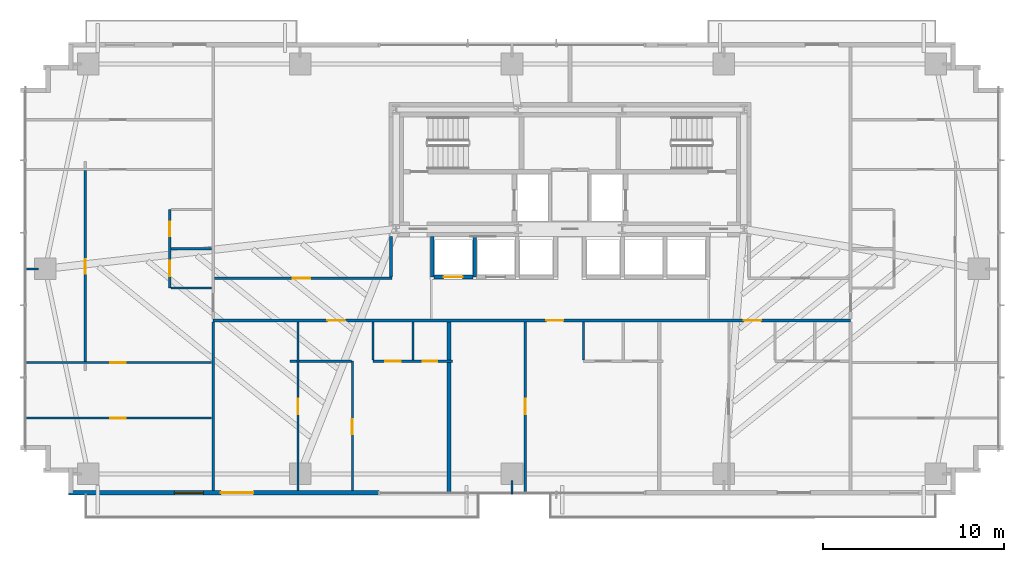
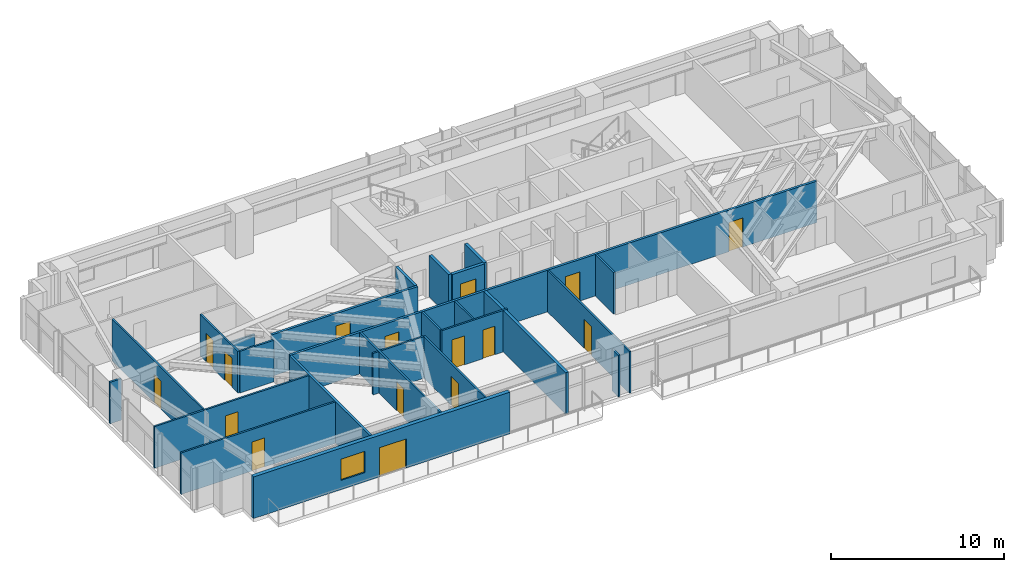
# One storey, part 19 of 25: 27 walls, 16 doors, 1 window, 17 openings.
"""IFC4 building model written with IfcOpenShell, lengths in metres."""

from ifc_helpers import new_model, si_unit, direction, frame, frame_2d, origin, place, context, subcontext, project, spatial, rectangle, extrude, source, transform, mapped, material, layer, layer_set, type_object, type_shapes, element, fill, save


model = new_model("IFC4")

# Units and contexts
model_context = context("Model", 3, precision=1e-05, world=origin(), true_north=direction((0.0, 1.0)))
body_context = subcontext(model_context, "Body", "Model", "MODEL_VIEW")
ifc_project = project(units=[si_unit("LENGTHUNIT", "METRE"), si_unit("AREAUNIT", "SQUARE_METRE"), si_unit("VOLUMEUNIT", "CUBIC_METRE"), si_unit("PLANEANGLEUNIT", "RADIAN"), si_unit("MASSUNIT", "GRAM", prefix="KILO")], contexts=[model_context])

# Site, building, storey
site_placement = place(None, origin())
site = spatial("IfcSite", under=ifc_project, at=site_placement, CompositionType="ELEMENT")
building_placement = place(site_placement, origin())
building = spatial("IfcBuilding", under=site, at=building_placement, Name="Astriad Promenade Condominiums", CompositionType="ELEMENT")
storey_placement = place(building_placement, frame((0.0, 0.0, 51.800048828125)))
storey = spatial("IfcBuildingStorey", under=building, at=storey_placement, Name="L14", CompositionType="ELEMENT", Elevation=51.800048828125)

# Wall, openings, doors
ifc_material_1 = material(Name="Fire-Rated Gypsum Partition")
ifc_layer_1 = layer(ifc_material_1, 0.159912109375)
ifc_layer_set_1 = layer_set([ifc_layer_1], Name="Fire-Rated Gypsum Partition")
wall_type_1 = type_object("IfcWallType", Name="WALL-CORR-160", PredefinedType="PARTITIONING", material=ifc_layer_set_1)
wall_1_placement = place(storey_placement, frame((16.300048828125, 12.35009765625, 0.0), z_axis=(0.0, 0.0, 1.0), x_axis=(1.0, 0.0, 0.0)))
wall_1 = element("IfcWall", 1, at=wall_1_placement, inside=storey, type_object=wall_type_1, Name="PT-COR-S-L14", PredefinedType="PARTITIONING", context=body_context, shape_type="SweptSolid", body=[
    extrude(rectangle(XDim=35.199951171875, YDim=0.159912109375, at=frame_2d((17.60009765625, 0.0))), origin(), (0.0, 0.0, 1.0), 2.93994140625),
])
opening_1_placement = place(wall_1_placement, frame((6.306884765625, 0.0, 0.0)))
opening_1 = element("IfcOpeningElement", 2, at=opening_1_placement, cuts=wall_1, Name="Opening FD60-APT-095", PredefinedType="OPENING", context=body_context, shape_type="SweptSolid", body=[
    extrude(rectangle(XDim=0.949951171875, YDim=2.06005859375, at=frame_2d((0.47509765625, 1.030029296875))), frame((0.0, 0.08984375, 0.0), z_axis=(0.0, -1.0, 0.0), x_axis=(1.0, 0.0, 0.0)), (0.0, 0.0, 1.0), 0.179931640625),
])
opening_2_placement = place(wall_1_placement, frame((18.39208984375, 0.0, 0.0)))
opening_2 = element("IfcOpeningElement", 3, at=opening_2_placement, cuts=wall_1, Name="Opening FD60-APT-095", PredefinedType="OPENING", context=body_context, shape_type="SweptSolid", body=[
    extrude(rectangle(XDim=0.949951171875, YDim=2.06005859375, at=frame_2d((0.47509765625, 1.030029296875))), frame((0.0, 0.08984375, 0.0), z_axis=(0.0, -1.0, 0.0), x_axis=(1.0, 0.0, 0.0)), (0.0, 0.0, 1.0), 0.179931640625),
])
opening_3_placement = place(wall_1_placement, frame((29.303955078125, 0.0, 0.0)))
opening_3 = element("IfcOpeningElement", 4, at=opening_3_placement, cuts=wall_1, Name="Opening FD60-APT-095", PredefinedType="OPENING", context=body_context, shape_type="SweptSolid", body=[
    extrude(rectangle(XDim=0.949951171875, YDim=2.06005859375, at=frame_2d((0.47509765625, 1.030029296875))), frame((0.0, 0.08984375, 0.0), z_axis=(0.0, -1.0, 0.0), x_axis=(1.0, 0.0, 0.0)), (0.0, 0.0, 1.0), 0.179931640625),
])
ifc_material_2 = material(Name="Solid-Core Acoustic Timber Residence Entry Door", Category="wood")
door_type_1 = type_object("IfcDoorType", Name="FD60-APT-095", OperationType="NOTDEFINED", PredefinedType="DOOR", material=ifc_material_2)
shared_shape_1 = source(origin(), body_context, "Body", "SweptSolid", [
    extrude(rectangle(XDim=0.949951171875, YDim=2.06005859375, at=frame_2d((0.47509765625, 1.030029296875))), frame((0.0, 0.02490234375, 0.0), z_axis=(0.0, -1.0, 0.0), x_axis=(1.0, 0.0, 0.0)), (0.0, 0.0, 1.0), 0.050048828125),
])
type_shapes(door_type_1, [shared_shape_1])
door_1_placement = place(opening_1_placement, origin())
door_1 = element("IfcDoor", 5, at=door_1_placement, inside=storey, type_object=door_type_1, Name="D-ENT-L14-S1", OperationType="SINGLE_SWING_RIGHT", OverallHeight=2.06005859375, OverallWidth=0.949951171875, PredefinedType="DOOR", context=body_context, shape_type="MappedRepresentation", body=[
    mapped(shared_shape_1, transform((0.0, 0.0, 0.0), scale=1.0)),
])
fill(opening_1, door_1)
door_2_placement = place(opening_2_placement, origin())
door_2 = element("IfcDoor", 6, at=door_2_placement, inside=storey, type_object=door_type_1, Name="D-ENT-L14-S2", OperationType="SINGLE_SWING_RIGHT", OverallHeight=2.06005859375, OverallWidth=0.949951171875, PredefinedType="DOOR", context=body_context, shape_type="MappedRepresentation", body=[
    mapped(shared_shape_1, transform((0.0, 0.0, 0.0), scale=1.0)),
])
fill(opening_2, door_2)
door_3_placement = place(opening_3_placement, origin())
door_3 = element("IfcDoor", 7, at=door_3_placement, inside=storey, type_object=door_type_1, Name="D-ENT-L14-S3", OperationType="SINGLE_SWING_RIGHT", OverallHeight=2.06005859375, OverallWidth=0.949951171875, PredefinedType="DOOR", context=body_context, shape_type="MappedRepresentation", body=[
    mapped(shared_shape_1, transform((0.0, 0.0, 0.0), scale=1.0)),
])
fill(opening_3, door_3)

# Wall
wall_2_placement = place(storey_placement, frame((16.300048828125, 2.9619140625, 0.0), z_axis=(0.0, 0.0, 1.0), x_axis=(0.0, 1.0, 0.0)))
element("IfcWall", 8, at=wall_2_placement, inside=storey, type_object=wall_type_1, Name="PT-COR-W-L14", PredefinedType="PARTITIONING", context=body_context, shape_type="SweptSolid", body=[
    extrude(rectangle(XDim=9.30615234375, YDim=0.159912109375, at=frame_2d((4.653076171875, 0.0))), origin(), (0.0, 0.0, 1.0), 2.93994140625),
])

# Wall, opening, door
wall_3_placement = place(storey_placement, frame((16.382080078125, 14.679931640625, 0.0), z_axis=(0.0, 0.0, 1.0), x_axis=(1.0, 0.0, 0.0)))
wall_3 = element("IfcWall", 9, at=wall_3_placement, inside=storey, type_object=wall_type_1, Name="PT-FLK-NW-L14", PredefinedType="PARTITIONING", context=body_context, shape_type="SweptSolid", body=[
    extrude(rectangle(XDim=9.77783203125, YDim=0.159912109375, at=frame_2d((4.888916015625, 0.0))), origin(), (0.0, 0.0, 1.0), 2.93994140625),
])
opening_4_placement = place(wall_3_placement, frame((4.31298828125, 0.0, 0.0)))
opening_4 = element("IfcOpeningElement", 10, at=opening_4_placement, cuts=wall_3, Name="Opening FD60-APT-095", PredefinedType="OPENING", context=body_context, shape_type="SweptSolid", body=[
    extrude(rectangle(XDim=0.949951171875, YDim=2.06005859375, at=frame_2d((0.47509765625, 1.030029296875))), frame((0.0, 0.08984375, 0.0), z_axis=(0.0, -1.0, 0.0), x_axis=(1.0, 0.0, 0.0)), (0.0, 0.0, 1.0), 0.179931640625),
])
door_4_placement = place(opening_4_placement, origin())
door_4 = element("IfcDoor", 11, at=door_4_placement, inside=storey, type_object=door_type_1, Name="D-NWA-L14", OperationType="SINGLE_SWING_LEFT", OverallHeight=2.06005859375, OverallWidth=0.949951171875, PredefinedType="DOOR", context=body_context, shape_type="MappedRepresentation", body=[
    mapped(shared_shape_1, transform((0.0, 0.0, 0.0), scale=1.0)),
])
fill(opening_4, door_4)

# Walls
wall_4_placement = place(storey_placement, frame((26.1201171875, 14.761962890625, 0.0), z_axis=(0.0, 0.0, 1.0), x_axis=(0.0, 1.0, 0.0)))
element("IfcWall", 12, at=wall_4_placement, inside=storey, type_object=wall_type_1, Name="PT-WSPUR-W-L14", PredefinedType="PARTITIONING", context=body_context, shape_type="SweptSolid", body=[
    extrude(rectangle(XDim=2.236083984375, YDim=0.159912109375, at=frame_2d((1.1181640625, 0.0))), origin(), (0.0, 0.0, 1.0), 2.93994140625),
])
ifc_material_3 = material(Name="Acoustic Double-Stud Gypsum Partition")
ifc_layer_2 = layer(ifc_material_3, 0.199951171875)
ifc_layer_set_2 = layer_set([ifc_layer_2], Name="Acoustic Double-Stud Gypsum Partition")
wall_type_2 = type_object("IfcWallType", Name="WALL-DEMISING-200", PredefinedType="PARTITIONING", material=ifc_layer_set_2)
wall_5_placement = place(storey_placement, frame((29.323974609375, 2.780029296875, 0.0), z_axis=(0.0, 0.0, 1.0), x_axis=(0.0, 1.0, 0.0)))
element("IfcWall", 13, at=wall_5_placement, inside=storey, type_object=wall_type_2, Name="PT-DEM-S1-L14", PredefinedType="PARTITIONING", context=body_context, shape_type="SweptSolid", body=[
    extrude(rectangle(XDim=7.258056640625, YDim=0.199951171875, at=frame_2d((3.62890625, 0.0))), origin(), (0.0, 0.0, 1.0), 2.93994140625),
])
wall_6_placement = place(storey_placement, frame((29.323974609375, 10.162109375, 0.0), z_axis=(0.0, 0.0, 1.0), x_axis=(0.0, 1.0, 0.0)))
element("IfcWall", 14, at=wall_6_placement, inside=storey, type_object=wall_type_2, Name="PT-DEM-S1-L14-S2", PredefinedType="PARTITIONING", context=body_context, shape_type="SweptSolid", body=[
    extrude(rectangle(XDim=2.10595703125, YDim=0.199951171875, at=frame_2d((1.052978515625, 0.0))), origin(), (0.0, 0.0, 1.0), 2.93994140625),
])

# Wall, openings, door, window
ifc_material_4 = material(Name="Precast concrete C50/60", Category="concrete")
ifc_layer_3 = layer(ifc_material_4, 0.260009765625)
ifc_layer_set_3 = layer_set([ifc_layer_3], Name="Precast concrete C50/60")
wall_type_3 = type_object("IfcWallType", Name="WALL-EXT-TWR-260", PredefinedType="STANDARD", material=ifc_layer_set_3)
wall_7_placement = place(storey_placement, frame((25.449951171875, 2.830078125, 0.0), z_axis=(0.0, 0.0, 1.0), x_axis=(-1.0, 0.0, 0.0)))
wall_7 = element("IfcWall", 15, at=wall_7_placement, inside=storey, type_object=wall_type_3, Name="W-EXT-L14-S2", PredefinedType="STANDARD", context=body_context, shape_type="SweptSolid", body=[
    extrude(rectangle(XDim=17.14990234375, YDim=0.260009765625, at=frame_2d((8.574951171875, 0.0))), origin(), (0.0, 0.0, 1.0), 2.93994140625),
])
opening_5_placement = place(wall_7_placement, frame((6.929931640625, 0.0, 0.0)))
opening_5 = element("IfcOpeningElement", 16, at=opening_5_placement, cuts=wall_7, Name="Opening BD-1822-SLD", PredefinedType="OPENING", context=body_context, shape_type="SweptSolid", body=[
    extrude(rectangle(XDim=1.800048828125, YDim=2.06005859375, at=frame_2d((0.89990234375, 1.030029296875))), frame((0.0, 0.139892578125, 0.0), z_axis=(0.0, -1.0, 0.0), x_axis=(1.0, 0.0, 0.0)), (0.0, 0.0, 1.0), 0.280029296875),
])
opening_6_placement = place(wall_7_placement, frame((9.699951171875, 0.0, 0.64990234375)))
opening_6 = element("IfcOpeningElement", 17, at=opening_6_placement, cuts=wall_7, Name="Opening WIN-TWR-1620", PredefinedType="OPENING", context=body_context, shape_type="SweptSolid", body=[
    extrude(rectangle(XDim=1.60009765625, YDim=1.5, at=frame_2d((0.800048828125, 0.75))), frame((0.0, 0.139892578125, 0.0), z_axis=(0.0, -1.0, 0.0), x_axis=(1.0, 0.0, 0.0)), (0.0, 0.0, 1.0), 0.280029296875),
])
ifc_material_5 = material(Name="Thermally Broken Aluminium Sliding Balcony Door", Category="aluminium")
door_type_2 = type_object("IfcDoorType", Name="BD-1822-SLD", OperationType="NOTDEFINED", PredefinedType="DOOR", material=ifc_material_5)
shared_shape_2 = source(origin(), body_context, "Body", "SweptSolid", [
    extrude(rectangle(XDim=1.800048828125, YDim=2.06005859375, at=frame_2d((0.89990234375, 1.030029296875))), frame((0.0, 0.02490234375, 0.0), z_axis=(0.0, -1.0, 0.0), x_axis=(1.0, 0.0, 0.0)), (0.0, 0.0, 1.0), 0.050048828125),
])
type_shapes(door_type_2, [shared_shape_2])
door_5_placement = place(opening_5_placement, origin())
door_5 = element("IfcDoor", 18, at=door_5_placement, inside=storey, type_object=door_type_2, Name="BD-L14-SW", OperationType="SLIDING_TO_LEFT", OverallHeight=2.06005859375, OverallWidth=1.800048828125, PredefinedType="DOOR", context=body_context, shape_type="MappedRepresentation", body=[
    mapped(shared_shape_2, transform((0.0, 0.0, 0.0), scale=1.0)),
])
fill(opening_5, door_5)
ifc_material_6 = material(Name="Dark Tinted Triple-Glazed Aluminium Window", Category="aluminium")
window_type = type_object("IfcWindowType", Name="WIN-TWR-1620", PartitioningType="SINGLE_PANEL", PredefinedType="WINDOW", material=ifc_material_6)
shared_shape_3 = source(origin(), body_context, "Body", "SweptSolid", [
    extrude(rectangle(XDim=1.60009765625, YDim=1.5, at=frame_2d((0.800048828125, 0.75))), frame((0.0, 0.030029296875, 0.0), z_axis=(0.0, -1.0, 0.0), x_axis=(1.0, 0.0, 0.0)), (0.0, 0.0, 1.0), 0.06005859375),
])
type_shapes(window_type, [shared_shape_3])
window_placement = place(opening_6_placement, origin())
window = element("IfcWindow", 19, at=window_placement, inside=storey, type_object=window_type, Name="WIN-L14-SW", OverallHeight=1.5, OverallWidth=1.60009765625, PartitioningType="SINGLE_PANEL", PredefinedType="WINDOW", context=body_context, shape_type="MappedRepresentation", body=[
    mapped(shared_shape_3, transform((0.0, 0.0, 0.0), scale=1.0)),
])
fill(opening_6, window)

# Wall, openings, doors
ifc_material_7 = material(Name="Acoustic Metal-Stud Gypsum Partition")
ifc_layer_4 = layer(ifc_material_7, 0.1201171875)
ifc_layer_set_4 = layer_set([ifc_layer_4], Name="Acoustic Metal-Stud Gypsum Partition")
wall_type_4 = type_object("IfcWallType", Name="WALL-PART-120", PredefinedType="PARTITIONING", material=ifc_layer_set_4)
wall_8_placement = place(storey_placement, frame((25.1240234375, 10.10009765625, 0.0), z_axis=(0.0, 0.0, 1.0), x_axis=(1.0, 0.0, 0.0)))
wall_8 = element("IfcWall", 20, at=wall_8_placement, inside=storey, type_object=wall_type_4, Name="PT-L14-S1-PS", PredefinedType="PARTITIONING", context=body_context, shape_type="SweptSolid", body=[
    extrude(rectangle(XDim=4.39990234375, YDim=0.1201171875, at=frame_2d((2.199951171875, 0.0))), origin(), (0.0, 0.0, 1.0), 2.93994140625),
])
opening_7_placement = place(wall_8_placement, frame((0.675048828125, 0.0, 0.0)))
opening_7 = element("IfcOpeningElement", 21, at=opening_7_placement, cuts=wall_8, Name="Opening D-INT-085", PredefinedType="OPENING", context=body_context, shape_type="SweptSolid", body=[
    extrude(rectangle(XDim=0.85009765625, YDim=2.050048828125, at=frame_2d((0.425048828125, 1.02490234375))), frame((0.0, 0.070068359375, 0.0), z_axis=(0.0, -1.0, 0.0), x_axis=(1.0, 0.0, 0.0)), (0.0, 0.0, 1.0), 0.14013671875),
])
opening_8_placement = place(wall_8_placement, frame((2.75, 0.0, 0.0)))
opening_8 = element("IfcOpeningElement", 22, at=opening_8_placement, cuts=wall_8, Name="Opening D-WET-080", PredefinedType="OPENING", context=body_context, shape_type="SweptSolid", body=[
    extrude(rectangle(XDim=0.800048828125, YDim=2.02001953125, at=frame_2d((0.39990234375, 1.010009765625))), frame((0.0, 0.070068359375, 0.0), z_axis=(0.0, -1.0, 0.0), x_axis=(1.0, 0.0, 0.0)), (0.0, 0.0, 1.0), 0.14013671875),
])
ifc_material_8 = material(Name="Moisture-Resistant Timber Bathroom Door", Category="wood")
door_type_3 = type_object("IfcDoorType", Name="D-WET-080", OperationType="NOTDEFINED", PredefinedType="DOOR", material=ifc_material_8)
shared_shape_4 = source(origin(), body_context, "Body", "SweptSolid", [
    extrude(rectangle(XDim=0.800048828125, YDim=2.02001953125, at=frame_2d((0.39990234375, 1.010009765625))), frame((0.0, 0.02490234375, 0.0), z_axis=(0.0, -1.0, 0.0), x_axis=(1.0, 0.0, 0.0)), (0.0, 0.0, 1.0), 0.050048828125),
])
type_shapes(door_type_3, [shared_shape_4])
door_6_placement = place(opening_8_placement, origin())
door_6 = element("IfcDoor", 23, at=door_6_placement, inside=storey, type_object=door_type_3, Name="D-BTH-L14-S1", OperationType="SINGLE_SWING_RIGHT", OverallHeight=2.02001953125, OverallWidth=0.800048828125, PredefinedType="DOOR", context=body_context, shape_type="MappedRepresentation", body=[
    mapped(shared_shape_4, transform((0.0, 0.0, 0.0), scale=1.0)),
])
fill(opening_8, door_6)
ifc_material_9 = material(Name="Painted Solid-Core Timber Room Door", Category="wood")
door_type_4 = type_object("IfcDoorType", Name="D-INT-085", OperationType="NOTDEFINED", PredefinedType="DOOR", material=ifc_material_9)
shared_shape_5 = source(origin(), body_context, "Body", "SweptSolid", [
    extrude(rectangle(XDim=0.85009765625, YDim=2.050048828125, at=frame_2d((0.425048828125, 1.02490234375))), frame((0.0, 0.02490234375, 0.0), z_axis=(0.0, -1.0, 0.0), x_axis=(1.0, 0.0, 0.0)), (0.0, 0.0, 1.0), 0.050048828125),
])
type_shapes(door_type_4, [shared_shape_5])
door_7_placement = place(opening_7_placement, origin())
door_7 = element("IfcDoor", 24, at=door_7_placement, inside=storey, type_object=door_type_4, Name="D-KIT-L14-S1", OperationType="SINGLE_SWING_LEFT", OverallHeight=2.050048828125, OverallWidth=0.85009765625, PredefinedType="DOOR", context=body_context, shape_type="MappedRepresentation", body=[
    mapped(shared_shape_5, transform((0.0, 0.0, 0.0), scale=1.0)),
])
fill(opening_7, door_7)

# Walls
for number, where, z_axis, x_axis, name in (
    (25, (25.1240234375, 10.162109375, 0.0), (0.0, 0.0, 1.0), (0.0, 1.0, 0.0), "PT-L14-S1-PK"),
    (26, (27.323974609375, 10.162109375, 0.0), (0.0, 0.0, 1.0), (0.0, 1.0, 0.0), "PT-L14-S1-PB"),
):
    element("IfcWall", number, at=place(storey_placement, frame(where, z_axis=z_axis, x_axis=x_axis)), inside=storey, type_object=wall_type_4, Name=name, PredefinedType="PARTITIONING", context=body_context, shape_type="SweptSolid", body=[
        extrude(rectangle(XDim=2.10595703125, YDim=0.1201171875, at=frame_2d((1.052978515625, 0.0))), origin(), (0.0, 0.0, 1.0), 2.93994140625),
    ])

# Wall, opening, door
wall_9_placement = place(storey_placement, frame((20.97998046875, 2.9619140625, 0.0), z_axis=(0.0, 0.0, 1.0), x_axis=(0.0, 1.0, 0.0)))
wall_9 = element("IfcWall", 27, at=wall_9_placement, inside=storey, type_object=wall_type_4, Name="PT-L14-S1-CAP1", PredefinedType="PARTITIONING", context=body_context, shape_type="SweptSolid", body=[
    extrude(rectangle(XDim=9.30615234375, YDim=0.1201171875, at=frame_2d((4.653076171875, 0.0))), origin(), (0.0, 0.0, 1.0), 2.93994140625),
])
opening_9_placement = place(wall_9_placement, frame((4.218017578125, 0.0, 0.0)))
opening_9 = element("IfcOpeningElement", 28, at=opening_9_placement, cuts=wall_9, Name="Opening D-INT-085", PredefinedType="OPENING", context=body_context, shape_type="SweptSolid", body=[
    extrude(rectangle(XDim=0.85009765625, YDim=2.050048828125, at=frame_2d((0.425048828125, 1.02490234375))), frame((0.0, 0.070068359375, 0.0), z_axis=(0.0, -1.0, 0.0), x_axis=(1.0, 0.0, 0.0)), (0.0, 0.0, 1.0), 0.14013671875),
])
door_8_placement = place(opening_9_placement, origin())
door_8 = element("IfcDoor", 29, at=door_8_placement, inside=storey, type_object=door_type_4, Name="D-CAP1-L14-S1", OperationType="SINGLE_SWING_RIGHT", OverallHeight=2.050048828125, OverallWidth=0.85009765625, PredefinedType="DOOR", context=body_context, shape_type="MappedRepresentation", body=[
    mapped(shared_shape_5, transform((0.0, 0.0, 0.0), scale=1.0)),
])
fill(opening_9, door_8)

wall_10_placement = place(storey_placement, frame((23.986083984375, 2.9619140625, 0.0), z_axis=(0.0, 0.0, 1.0), x_axis=(0.0, 1.0, 0.0)))
wall_10 = element("IfcWall", 30, at=wall_10_placement, inside=storey, type_object=wall_type_4, Name="PT-L14-S1-CAP2", PredefinedType="PARTITIONING", context=body_context, shape_type="SweptSolid", body=[
    extrude(rectangle(XDim=7.13818359375, YDim=0.1201171875, at=frame_2d((3.569091796875, 0.0))), origin(), (0.0, 0.0, 1.0), 2.93994140625),
])
opening_10_placement = place(wall_10_placement, frame((3.093017578125, 0.0, 0.0)))
opening_10 = element("IfcOpeningElement", 31, at=opening_10_placement, cuts=wall_10, Name="Opening D-INT-085", PredefinedType="OPENING", context=body_context, shape_type="SweptSolid", body=[
    extrude(rectangle(XDim=0.85009765625, YDim=2.050048828125, at=frame_2d((0.425048828125, 1.02490234375))), frame((0.0, 0.070068359375, 0.0), z_axis=(0.0, -1.0, 0.0), x_axis=(1.0, 0.0, 0.0)), (0.0, 0.0, 1.0), 0.14013671875),
])
door_9_placement = place(opening_10_placement, origin())
door_9 = element("IfcDoor", 32, at=door_9_placement, inside=storey, type_object=door_type_4, Name="D-CAP2-L14-S1", OperationType="SINGLE_SWING_LEFT", OverallHeight=2.050048828125, OverallWidth=0.85009765625, PredefinedType="DOOR", context=body_context, shape_type="MappedRepresentation", body=[
    mapped(shared_shape_5, transform((0.0, 0.0, 0.0), scale=1.0)),
])
fill(opening_10, door_9)

# Walls
wall_11_placement = place(storey_placement, frame((20.5400390625, 10.10009765625, 0.0), z_axis=(0.0, 0.0, 1.0), x_axis=(1.0, 0.0, 0.0)))
element("IfcWall", 33, at=wall_11_placement, inside=storey, type_object=wall_type_4, Name="PT-L14-S1-CAP2H", PredefinedType="PARTITIONING", context=body_context, shape_type="SweptSolid", body=[
    extrude(rectangle(XDim=0.3779296875, YDim=0.1201171875, at=frame_2d((0.18896484375, 0.0))), origin(), (0.0, 0.0, 1.0), 2.93994140625),
])
wall_12_placement = place(storey_placement, frame((21.0419921875, 10.10009765625, 0.0), z_axis=(0.0, 0.0, 1.0), x_axis=(1.0, 0.0, 0.0)))
element("IfcWall", 34, at=wall_12_placement, inside=storey, type_object=wall_type_4, Name="PT-L14-S1-CAP2H-S2", PredefinedType="PARTITIONING", context=body_context, shape_type="SweptSolid", body=[
    extrude(rectangle(XDim=2.882080078125, YDim=0.1201171875, at=frame_2d((1.44091796875, 0.0))), origin(), (0.0, 0.0, 1.0), 2.93994140625),
])
wall_13_placement = place(storey_placement, frame((36.739990234375, 10.162109375, 0.0), z_axis=(0.0, 0.0, 1.0), x_axis=(0.0, 1.0, 0.0)))
element("IfcWall", 35, at=wall_13_placement, inside=storey, type_object=wall_type_4, Name="PT-L14-S2-PK", PredefinedType="PARTITIONING", context=body_context, shape_type="SweptSolid", body=[
    extrude(rectangle(XDim=2.10595703125, YDim=0.1201171875, at=frame_2d((1.052978515625, 0.0))), origin(), (0.0, 0.0, 1.0), 2.93994140625),
])

# Wall, opening, door
wall_14_placement = place(storey_placement, frame((33.533935546875, 2.780029296875, 0.0), z_axis=(0.0, 0.0, 1.0), x_axis=(0.0, 1.0, 0.0)))
wall_14 = element("IfcWall", 36, at=wall_14_placement, inside=storey, type_object=wall_type_4, Name="PT-L14-S2-CAP1", PredefinedType="PARTITIONING", context=body_context, shape_type="SweptSolid", body=[
    extrude(rectangle(XDim=9.488037109375, YDim=0.1201171875, at=frame_2d((4.744140625, 0.0))), origin(), (0.0, 0.0, 1.0), 2.93994140625),
])
opening_11_placement = place(wall_14_placement, frame((4.39990234375, 0.0, 0.0)))
opening_11 = element("IfcOpeningElement", 37, at=opening_11_placement, cuts=wall_14, Name="Opening D-INT-085", PredefinedType="OPENING", context=body_context, shape_type="SweptSolid", body=[
    extrude(rectangle(XDim=0.85009765625, YDim=2.050048828125, at=frame_2d((0.425048828125, 1.02490234375))), frame((0.0, 0.070068359375, 0.0), z_axis=(0.0, -1.0, 0.0), x_axis=(1.0, 0.0, 0.0)), (0.0, 0.0, 1.0), 0.14013671875),
])
door_10_placement = place(opening_11_placement, origin())
door_10 = element("IfcDoor", 38, at=door_10_placement, inside=storey, type_object=door_type_4, Name="D-CAP1-L14-S2", OperationType="SINGLE_SWING_LEFT", OverallHeight=2.050048828125, OverallWidth=0.85009765625, PredefinedType="DOOR", context=body_context, shape_type="MappedRepresentation", body=[
    mapped(shared_shape_5, transform((0.0, 0.0, 0.0), scale=1.0)),
])
fill(opening_11, door_10)

# Wall, openings, doors
wall_15_placement = place(storey_placement, frame((13.89990234375, 14.135986328125, 0.0), z_axis=(0.0, 0.0, 1.0), x_axis=(0.0, 1.0, 0.0)))
wall_15 = element("IfcWall", 39, at=wall_15_placement, inside=storey, type_object=wall_type_4, Name="PT-L14-W1-PV", PredefinedType="PARTITIONING", context=body_context, shape_type="SweptSolid", body=[
    extrude(rectangle(XDim=4.35009765625, YDim=0.1201171875, at=frame_2d((2.175048828125, 0.0))), origin(), (0.0, 0.0, 1.0), 2.93994140625),
])
opening_12_placement = place(wall_15_placement, frame((0.662109375, 0.0, 0.0)))
opening_12 = element("IfcOpeningElement", 40, at=opening_12_placement, cuts=wall_15, Name="Opening D-INT-085", PredefinedType="OPENING", context=body_context, shape_type="SweptSolid", body=[
    extrude(rectangle(XDim=0.85009765625, YDim=2.050048828125, at=frame_2d((0.425048828125, 1.02490234375))), frame((0.0, 0.070068359375, 0.0), z_axis=(0.0, -1.0, 0.0), x_axis=(1.0, 0.0, 0.0)), (0.0, 0.0, 1.0), 0.14013671875),
])
opening_13_placement = place(wall_15_placement, frame((2.862060546875, 0.0, 0.0)))
opening_13 = element("IfcOpeningElement", 41, at=opening_13_placement, cuts=wall_15, Name="Opening D-WET-080", PredefinedType="OPENING", context=body_context, shape_type="SweptSolid", body=[
    extrude(rectangle(XDim=0.800048828125, YDim=2.02001953125, at=frame_2d((0.39990234375, 1.010009765625))), frame((0.0, 0.070068359375, 0.0), z_axis=(0.0, -1.0, 0.0), x_axis=(1.0, 0.0, 0.0)), (0.0, 0.0, 1.0), 0.14013671875),
])
door_11_placement = place(opening_13_placement, origin())
door_11 = element("IfcDoor", 42, at=door_11_placement, inside=storey, type_object=door_type_3, Name="D-BTH-L14-W1", OperationType="SINGLE_SWING_LEFT", OverallHeight=2.02001953125, OverallWidth=0.800048828125, PredefinedType="DOOR", context=body_context, shape_type="MappedRepresentation", body=[
    mapped(shared_shape_4, transform((0.0, 0.0, 0.0), scale=1.0)),
])
fill(opening_13, door_11)
door_12_placement = place(opening_12_placement, origin())
door_12 = element("IfcDoor", 43, at=door_12_placement, inside=storey, type_object=door_type_4, Name="D-KIT-L14-W1", OperationType="SINGLE_SWING_RIGHT", OverallHeight=2.050048828125, OverallWidth=0.85009765625, PredefinedType="DOOR", context=body_context, shape_type="MappedRepresentation", body=[
    mapped(shared_shape_5, transform((0.0, 0.0, 0.0), scale=1.0)),
])
fill(opening_12, door_12)

# Walls
wall_16_placement = place(storey_placement, frame((13.9619140625, 16.31103515625, 0.0), z_axis=(0.0, 0.0, 1.0), x_axis=(1.0, 0.0, 0.0)))
element("IfcWall", 44, at=wall_16_placement, inside=storey, type_object=wall_type_4, Name="PT-L14-W1-PM", PredefinedType="PARTITIONING", context=body_context, shape_type="SweptSolid", body=[
    extrude(rectangle(XDim=2.256103515625, YDim=0.1201171875, at=frame_2d((1.1279296875, 0.0))), origin(), (0.0, 0.0, 1.0), 2.044921875),
])
wall_17_placement = place(storey_placement, frame((13.9619140625, 14.135986328125, 0.0), z_axis=(0.0, 0.0, 1.0), x_axis=(1.0, 0.0, 0.0)))
element("IfcWall", 45, at=wall_17_placement, inside=storey, type_object=wall_type_4, Name="PT-L14-W1-PS", PredefinedType="PARTITIONING", context=body_context, shape_type="SweptSolid", body=[
    extrude(rectangle(XDim=2.256103515625, YDim=0.1201171875, at=frame_2d((1.1279296875, 0.0))), origin(), (0.0, 0.0, 1.0), 2.93994140625),
])

# Wall, opening, door
wall_18_placement = place(storey_placement, frame((5.8798828125, 6.9599609375, 0.0), z_axis=(0.0, 0.0, 1.0), x_axis=(1.0, 0.0, 0.0)))
wall_18 = element("IfcWall", 46, at=wall_18_placement, inside=storey, type_object=wall_type_4, Name="PT-L14-W1-WDS1", PredefinedType="PARTITIONING", context=body_context, shape_type="SweptSolid", body=[
    extrude(rectangle(XDim=10.338134765625, YDim=0.1201171875, at=frame_2d((5.1689453125, 0.0))), origin(), (0.0, 0.0, 1.0), 2.93994140625),
])
opening_14_placement = place(wall_18_placement, frame((4.735107421875, 0.0, 0.0)))
opening_14 = element("IfcOpeningElement", 47, at=opening_14_placement, cuts=wall_18, Name="Opening D-INT-085", PredefinedType="OPENING", context=body_context, shape_type="SweptSolid", body=[
    extrude(rectangle(XDim=0.85009765625, YDim=2.050048828125, at=frame_2d((0.425048828125, 1.02490234375))), frame((0.0, 0.070068359375, 0.0), z_axis=(0.0, -1.0, 0.0), x_axis=(1.0, 0.0, 0.0)), (0.0, 0.0, 1.0), 0.14013671875),
])
door_13_placement = place(opening_14_placement, origin())
door_13 = element("IfcDoor", 48, at=door_13_placement, inside=storey, type_object=door_type_4, Name="D-WDS1-L14-W1", OperationType="SINGLE_SWING_RIGHT", OverallHeight=2.050048828125, OverallWidth=0.85009765625, PredefinedType="DOOR", context=body_context, shape_type="MappedRepresentation", body=[
    mapped(shared_shape_5, transform((0.0, 0.0, 0.0), scale=1.0)),
])
fill(opening_14, door_13)

wall_19_placement = place(storey_placement, frame((5.8798828125, 10.02587890625, 0.0), z_axis=(0.0, 0.0, 1.0), x_axis=(1.0, 0.0, 0.0)))
wall_19 = element("IfcWall", 49, at=wall_19_placement, inside=storey, type_object=wall_type_4, Name="PT-L14-W1-WDS3", PredefinedType="PARTITIONING", context=body_context, shape_type="SweptSolid", body=[
    extrude(rectangle(XDim=10.338134765625, YDim=0.1201171875, at=frame_2d((5.1689453125, 0.0))), origin(), (0.0, 0.0, 1.0), 2.93994140625),
])
opening_15_placement = place(wall_19_placement, frame((4.735107421875, 0.0, 0.0)))
opening_15 = element("IfcOpeningElement", 50, at=opening_15_placement, cuts=wall_19, Name="Opening D-INT-085", PredefinedType="OPENING", context=body_context, shape_type="SweptSolid", body=[
    extrude(rectangle(XDim=0.85009765625, YDim=2.050048828125, at=frame_2d((0.425048828125, 1.02490234375))), frame((0.0, 0.070068359375, 0.0), z_axis=(0.0, -1.0, 0.0), x_axis=(1.0, 0.0, 0.0)), (0.0, 0.0, 1.0), 0.14013671875),
])
door_14_placement = place(opening_15_placement, origin())
door_14 = element("IfcDoor", 51, at=door_14_placement, inside=storey, type_object=door_type_4, Name="D-WDS3-L14-W1", OperationType="SINGLE_SWING_RIGHT", OverallHeight=2.050048828125, OverallWidth=0.85009765625, PredefinedType="DOOR", context=body_context, shape_type="MappedRepresentation", body=[
    mapped(shared_shape_5, transform((0.0, 0.0, 0.0), scale=1.0)),
])
fill(opening_15, door_14)

wall_20_placement = place(storey_placement, frame((9.237060546875, 10.087890625, 0.0), z_axis=(0.0, 0.0, 1.0), x_axis=(0.0, 1.0, 0.0)))
wall_20 = element("IfcWall", 52, at=wall_20_placement, inside=storey, type_object=wall_type_4, Name="PT-L14-W1-WDV5-S2", PredefinedType="PARTITIONING", context=body_context, shape_type="SweptSolid", body=[
    extrude(rectangle(XDim=10.5380859375, YDim=0.1201171875, at=frame_2d((5.26904296875, 0.0))), origin(), (0.0, 0.0, 1.0), 2.93994140625),
])
opening_16_placement = place(wall_20_placement, frame((4.843994140625, 0.0, 0.0)))
opening_16 = element("IfcOpeningElement", 53, at=opening_16_placement, cuts=wall_20, Name="Opening D-ULOW-080", PredefinedType="OPENING", context=body_context, shape_type="SweptSolid", body=[
    extrude(rectangle(XDim=0.800048828125, YDim=2.0, at=frame_2d((0.39990234375, 1.0))), frame((0.0, 0.070068359375, 0.0), z_axis=(0.0, -1.0, 0.0), x_axis=(1.0, 0.0, 0.0)), (0.0, 0.0, 1.0), 0.14013671875),
])
ifc_material_10 = material(Name="Painted Timber Low-Headroom Door", Category="wood")
door_type_5 = type_object("IfcDoorType", Name="D-ULOW-080", OperationType="NOTDEFINED", PredefinedType="DOOR", material=ifc_material_10)
shared_shape_6 = source(origin(), body_context, "Body", "SweptSolid", [
    extrude(rectangle(XDim=0.800048828125, YDim=2.0, at=frame_2d((0.39990234375, 1.0))), frame((0.0, 0.02490234375, 0.0), z_axis=(0.0, -1.0, 0.0), x_axis=(1.0, 0.0, 0.0)), (0.0, 0.0, 1.0), 0.050048828125),
])
type_shapes(door_type_5, [shared_shape_6])
door_15_placement = place(opening_16_placement, origin())
door_15 = element("IfcDoor", 54, at=door_15_placement, inside=storey, type_object=door_type_5, Name="D-WDV5-L14-W1", OperationType="SINGLE_SWING_RIGHT", OverallHeight=2.0, OverallWidth=0.800048828125, PredefinedType="DOOR", context=body_context, shape_type="MappedRepresentation", body=[
    mapped(shared_shape_6, transform((0.0, 0.0, 0.0), scale=1.0)),
])
fill(opening_16, door_15)

# Walls
wall_21_placement = place(storey_placement, frame((32.800048828125, 3.5, 0.0), z_axis=(0.0, 0.0, 1.0), x_axis=(0.0, -1.0, 0.0)))
element("IfcWall", 55, at=wall_21_placement, inside=storey, type_object=wall_type_4, Name="PT-PIL-L14-PC03-10", PredefinedType="PARTITIONING", context=body_context, shape_type="SweptSolid", body=[
    extrude(rectangle(XDim=0.719970703125, YDim=0.1201171875, at=frame_2d((0.35986328125, 0.0))), origin(), (0.0, 0.0, 1.0), 2.93994140625),
])
wall_22_placement = place(storey_placement, frame((6.639892578125, 15.199951171875, 0.0), z_axis=(0.0, 0.0, 1.0), x_axis=(-1.0, 0.0, 0.0)))
element("IfcWall", 56, at=wall_22_placement, inside=storey, type_object=wall_type_4, Name="PT-PIL-L14-PC11-18", PredefinedType="PARTITIONING", context=body_context, shape_type="SweptSolid", body=[
    extrude(rectangle(XDim=0.760009765625, YDim=0.1201171875, at=frame_2d((0.3798828125, 0.0))), origin(), (0.0, 0.0, 1.0), 2.93994140625),
])
ifc_material_11 = material(Name="Gypsum Shaftliner Assembly")
ifc_layer_5 = layer(ifc_material_11, 0.199951171875)
ifc_layer_set_5 = layer_set([ifc_layer_5], Name="Gypsum Shaftliner Assembly")
wall_type_5 = type_object("IfcWallType", Name="WALL-SHAFT-200", PredefinedType="PARTITIONING", material=ifc_layer_set_5)
for number, where, z_axis, x_axis, name in (
    (57, (28.39990234375, 14.75, 0.0), (0.0, 0.0, 1.0), (0.0, 1.0, 0.0), "PL-W-OUT-L14"),
    (58, (30.75, 14.75, 0.0), (0.0, 0.0, 1.0), (0.0, 1.0, 0.0), "PL-L-DIV-L14"),
):
    element("IfcWall", number, at=place(storey_placement, frame(where, z_axis=z_axis, x_axis=x_axis)), inside=storey, type_object=wall_type_5, Name=name, PredefinedType="PARTITIONING", context=body_context, shape_type="SweptSolid", body=[
        extrude(rectangle(XDim=2.248046875, YDim=0.199951171875, at=frame_2d((1.1240234375, 0.0))), origin(), (0.0, 0.0, 1.0), 2.93994140625),
    ])

# Wall, opening, door
wall_23_placement = place(storey_placement, frame((28.501953125, 14.75, 0.0), z_axis=(0.0, 0.0, 1.0), x_axis=(1.0, 0.0, 0.0)))
wall_23 = element("IfcWall", 59, at=wall_23_placement, inside=storey, type_object=wall_type_5, Name="PL-L-FRT-L14", PredefinedType="PARTITIONING", context=body_context, shape_type="SweptSolid", body=[
    extrude(rectangle(XDim=2.14599609375, YDim=0.199951171875, at=frame_2d((1.072998046875, 0.0))), origin(), (0.0, 0.0, 1.0), 2.93994140625),
])
opening_17_placement = place(wall_23_placement, frame((0.52294921875, 0.0, 0.0)))
opening_17 = element("IfcOpeningElement", 60, at=opening_17_placement, cuts=wall_23, Name="Opening LD-PL-10522", PredefinedType="OPENING", context=body_context, shape_type="SweptSolid", body=[
    extrude(rectangle(XDim=1.050048828125, YDim=2.080078125, at=frame_2d((0.52490234375, 1.0400390625))), frame((0.0, 0.10986328125, 0.0), z_axis=(0.0, -1.0, 0.0), x_axis=(1.0, 0.0, 0.0)), (0.0, 0.0, 1.0), 0.219970703125),
])
ifc_material_12 = material(Name="Brushed Bronze Passenger Elevator Landing Door")
door_type_6 = type_object("IfcDoorType", Name="LD-PL-10522", OperationType="NOTDEFINED", PredefinedType="DOOR", material=ifc_material_12)
shared_shape_7 = source(origin(), body_context, "Body", "SweptSolid", [
    extrude(rectangle(XDim=1.050048828125, YDim=2.080078125, at=frame_2d((0.52490234375, 1.0400390625))), frame((0.0, 0.02490234375, 0.0), z_axis=(0.0, -1.0, 0.0), x_axis=(1.0, 0.0, 0.0)), (0.0, 0.0, 1.0), 0.050048828125),
])
type_shapes(door_type_6, [shared_shape_7])
door_16_placement = place(opening_17_placement, origin())
door_16 = element("IfcDoor", 61, at=door_16_placement, inside=storey, type_object=door_type_6, Name="Elevator Landing Door PL-L1 (L14)", OperationType="SLIDING_TO_LEFT", OverallHeight=2.080078125, OverallWidth=1.050048828125, PredefinedType="DOOR", context=body_context, shape_type="MappedRepresentation", body=[
    mapped(shared_shape_7, transform((0.0, 0.0, 0.0), scale=1.0)),
])
fill(opening_17, door_16)

save(model, "model.ifc")
